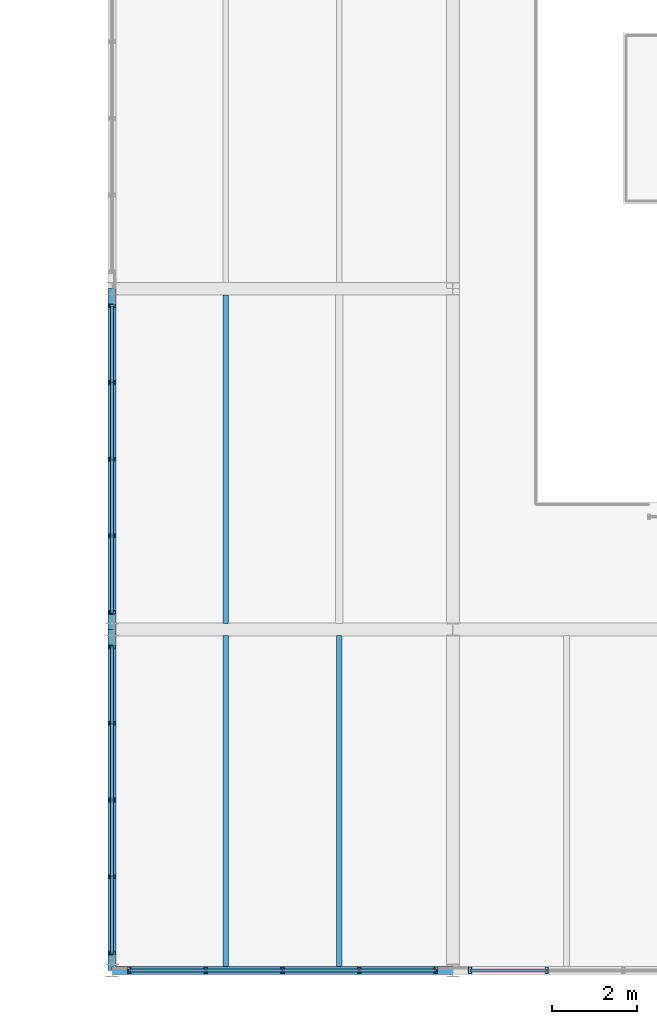
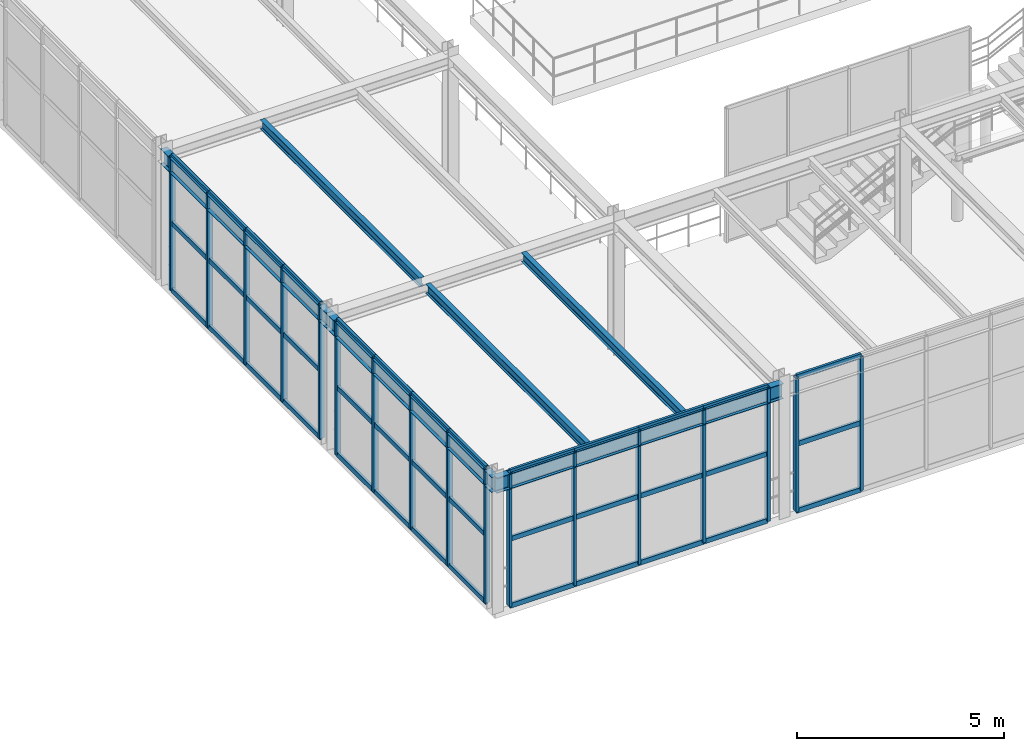
# One storey, part 34 of 124: 56 members, 6 beams, 4 elements without a shape of their own.
"""IFC4 building model written with IfcOpenShell, lengths in metres."""

from ifc_helpers import new_model, si_unit, direction, frame, origin, origin_2d, place, context, subcontext, project, spatial, hollow_rectangle, i_section, extrude, material, material_profile, profile_set, type_object, element, aggregate, save


model = new_model("IFC4")

# Units and contexts
model_context = context("Model", 3, precision=1e-05, world=origin(), true_north=direction((0.0, 1.0)))
body_context = subcontext(model_context, "Body", "Model", "MODEL_VIEW")
ifc_project = project(units=[si_unit("LENGTHUNIT", "METRE"), si_unit("AREAUNIT", "SQUARE_METRE"), si_unit("VOLUMEUNIT", "CUBIC_METRE"), si_unit("PLANEANGLEUNIT", "RADIAN"), si_unit("MASSUNIT", "GRAM", prefix="KILO")], contexts=[model_context])

# Site, building, storey
site_placement = place(None, origin())
site = spatial("IfcSite", under=ifc_project, at=site_placement, CompositionType="ELEMENT")
building_placement = place(site_placement, origin())
building = spatial("IfcBuilding", under=site, at=building_placement, Name="Sundkrona Museum", CompositionType="ELEMENT")
storey_placement = place(building_placement, frame((0.0, 0.0, 17.60009765625)))
storey = spatial("IfcBuildingStorey", under=building, at=storey_placement, Name="L03", CompositionType="ELEMENT", Elevation=17.60009765625)

# Beams
ifc_material_1 = material(Name="Steel S355J2", Category="steel")
ifc_material_profile_1 = material_profile(ifc_material_1, i_section(OverallWidth=0.135009765625, OverallDepth=0.27001953125, WebThickness=0.006591796875, FlangeThickness=0.01025390625, FilletRadius=0.014892578125, at=origin_2d()), Name="IPE 270")
ifc_profile_set_1 = profile_set([ifc_material_profile_1], Name="Steel S355J2")
beam_type_1 = type_object("IfcBeamType", Name="J-IPE270", PredefinedType="JOIST", material=ifc_profile_set_1)
for number, where, z_axis, x_axis, name in (
    (1, (82.666748046875, 0.089111328125, 3.804931640625), (0.0, 1.0, 0.0), (-1.0, 0.0, 0.0), "L03 Composite Joist 1042"),
    (2, (85.333251953125, 0.089111328125, 3.804931640625), (0.0, 1.0, 0.0), (-1.0, 0.0, 0.0), "L03 Composite Joist 1043"),
):
    element("IfcBeam", number, at=place(storey_placement, frame(where, z_axis=z_axis, x_axis=x_axis)), inside=storey, type_object=beam_type_1, Name=name, PredefinedType="JOIST", context=body_context, shape_type="SweptSolid", body=[
        extrude(i_section(OverallWidth=0.135009765625, OverallDepth=0.27001953125, WebThickness=0.006591796875, FlangeThickness=0.01025390625, FilletRadius=0.014892578125, at=origin_2d()), origin(), (0.0, 0.0, 1.0), 7.766845703125),
    ])
beam_placement = place(storey_placement, frame((82.666748046875, 8.14404296875, 3.804931640625), z_axis=(0.0, 1.0, 0.0), x_axis=(-1.0, 0.0, 0.0)))
element("IfcBeam", 3, at=beam_placement, inside=storey, type_object=beam_type_1, Name="L03 Composite Joist 1044", PredefinedType="JOIST", context=body_context, shape_type="SweptSolid", body=[
    extrude(i_section(OverallWidth=0.135009765625, OverallDepth=0.27001953125, WebThickness=0.006591796875, FlangeThickness=0.01025390625, FilletRadius=0.014892578125, at=origin_2d()), origin(), (0.0, 0.0, 1.0), 7.7119140625),
])

# Curtain wall, members
ifc_material_2 = material(Name="Unitised Aluminium-Steel and Ceramic-Clad Curtain Walling", Category="steel")
curtain_wall_type = type_object("IfcCurtainWallType", Name="CW-AT-72x38", PredefinedType="NOTDEFINED", material=ifc_material_2)
curtain_wall_1_placement = place(storey_placement, origin())
curtain_wall_1 = element("IfcCurtainWall", 4, at=curtain_wall_1_placement, inside=storey, type_object=curtain_wall_type, Name="L03 Curtain Wall CW-L03-060", PredefinedType="NOTDEFINED")
ifc_material_3 = material(Name="Aluminium EN AW-6060 T66", Category="aluminium")
ifc_material_profile_2 = material_profile(ifc_material_3, hollow_rectangle(XDim=0.074951171875, YDim=0.14990234375, WallThickness=0.00634765625, at=origin_2d()), Name="RHS 150x75x6.3")
ifc_profile_set_2 = profile_set([ifc_material_profile_2], Name="Aluminium EN AW-6060 T66")
member_type_1 = type_object("IfcMemberType", Name="ML-150", PredefinedType="MULLION", material=ifc_profile_set_2)
member_1_placement = place(storey_placement, frame((80.39990234375, 0.0, -0.004150390625), z_axis=(0.0, 0.0, 1.0), x_axis=(1.0, 0.0, 0.0)))
member_1 = element("IfcMember", 5, at=member_1_placement, type_object=member_type_1, Name="CW-L03-060 Mullion 01", PredefinedType="MULLION", context=body_context, shape_type="SweptSolid", body=[
    extrude(hollow_rectangle(XDim=0.074951171875, YDim=0.14990234375, WallThickness=0.00634765625, at=origin_2d()), origin(), (0.0, 0.0, 1.0), 3.947998046875),
])
member_2_placement = place(storey_placement, frame((82.199951171875, 0.0, -0.004150390625), z_axis=(0.0, 0.0, 1.0), x_axis=(1.0, 0.0, 0.0)))
member_2 = element("IfcMember", 6, at=member_2_placement, type_object=member_type_1, Name="CW-L03-060 Mullion 02", PredefinedType="MULLION", context=body_context, shape_type="SweptSolid", body=[
    extrude(hollow_rectangle(XDim=0.074951171875, YDim=0.14990234375, WallThickness=0.00634765625, at=origin_2d()), origin(), (0.0, 0.0, 1.0), 3.947998046875),
])
member_3_placement = place(storey_placement, frame((84.0, 0.0, -0.004150390625), z_axis=(0.0, 0.0, 1.0), x_axis=(1.0, 0.0, 0.0)))
member_3 = element("IfcMember", 7, at=member_3_placement, type_object=member_type_1, Name="CW-L03-060 Mullion 03", PredefinedType="MULLION", context=body_context, shape_type="SweptSolid", body=[
    extrude(hollow_rectangle(XDim=0.074951171875, YDim=0.14990234375, WallThickness=0.00634765625, at=origin_2d()), origin(), (0.0, 0.0, 1.0), 3.947998046875),
])
member_4_placement = place(storey_placement, frame((85.800048828125, 0.0, -0.004150390625), z_axis=(0.0, 0.0, 1.0), x_axis=(1.0, 0.0, 0.0)))
member_4 = element("IfcMember", 8, at=member_4_placement, type_object=member_type_1, Name="CW-L03-060 Mullion 04", PredefinedType="MULLION", context=body_context, shape_type="SweptSolid", body=[
    extrude(hollow_rectangle(XDim=0.074951171875, YDim=0.14990234375, WallThickness=0.00634765625, at=origin_2d()), origin(), (0.0, 0.0, 1.0), 3.947998046875),
])
member_5_placement = place(storey_placement, frame((87.60009765625, 0.0, -0.004150390625), z_axis=(0.0, 0.0, 1.0), x_axis=(1.0, 0.0, 0.0)))
member_5 = element("IfcMember", 9, at=member_5_placement, type_object=member_type_1, Name="CW-L03-060 Mullion 05", PredefinedType="MULLION", context=body_context, shape_type="SweptSolid", body=[
    extrude(hollow_rectangle(XDim=0.074951171875, YDim=0.14990234375, WallThickness=0.00634765625, at=origin_2d()), origin(), (0.0, 0.0, 1.0), 3.947998046875),
])

curtain_wall_2_placement = place(storey_placement, origin())
curtain_wall_2 = element("IfcCurtainWall", 10, at=curtain_wall_2_placement, inside=storey, type_object=curtain_wall_type, Name="L03 Curtain Wall CW-L03-061", PredefinedType="NOTDEFINED")
member_6_placement = place(storey_placement, frame((88.39990234375, 0.0, -0.004150390625), z_axis=(0.0, 0.0, 1.0), x_axis=(1.0, 0.0, 0.0)))
member_6 = element("IfcMember", 11, at=member_6_placement, type_object=member_type_1, Name="CW-L03-061 Mullion 01", PredefinedType="MULLION", context=body_context, shape_type="SweptSolid", body=[
    extrude(hollow_rectangle(XDim=0.074951171875, YDim=0.14990234375, WallThickness=0.00634765625, at=origin_2d()), origin(), (0.0, 0.0, 1.0), 3.947998046875),
])
member_7_placement = place(storey_placement, frame((90.199951171875, 0.0, -0.004150390625), z_axis=(0.0, 0.0, 1.0), x_axis=(1.0, 0.0, 0.0)))
member_7 = element("IfcMember", 12, at=member_7_placement, type_object=member_type_1, Name="CW-L03-061 Mullion 02", PredefinedType="MULLION", context=body_context, shape_type="SweptSolid", body=[
    extrude(hollow_rectangle(XDim=0.074951171875, YDim=0.14990234375, WallThickness=0.00634765625, at=origin_2d()), origin(), (0.0, 0.0, 1.0), 3.947998046875),
])

curtain_wall_3_placement = place(storey_placement, origin())
curtain_wall_3 = element("IfcCurtainWall", 13, at=curtain_wall_3_placement, inside=storey, type_object=curtain_wall_type, Name="L03 Curtain Wall CW-L03-065", PredefinedType="NOTDEFINED")
member_8_placement = place(storey_placement, frame((80.0, 0.39990234375, -0.004150390625), z_axis=(0.0, 0.0, 1.0), x_axis=(0.0, 1.0, 0.0)))
member_8 = element("IfcMember", 14, at=member_8_placement, type_object=member_type_1, Name="CW-L03-065 Mullion 01", PredefinedType="MULLION", context=body_context, shape_type="SweptSolid", body=[
    extrude(hollow_rectangle(XDim=0.074951171875, YDim=0.14990234375, WallThickness=0.00634765625, at=origin_2d()), origin(), (0.0, 0.0, 1.0), 3.947998046875),
])
member_9_placement = place(storey_placement, frame((80.0, 2.199951171875, -0.004150390625), z_axis=(0.0, 0.0, 1.0), x_axis=(0.0, 1.0, 0.0)))
member_9 = element("IfcMember", 15, at=member_9_placement, type_object=member_type_1, Name="CW-L03-065 Mullion 02", PredefinedType="MULLION", context=body_context, shape_type="SweptSolid", body=[
    extrude(hollow_rectangle(XDim=0.074951171875, YDim=0.14990234375, WallThickness=0.00634765625, at=origin_2d()), origin(), (0.0, 0.0, 1.0), 3.947998046875),
])
member_10_placement = place(storey_placement, frame((80.0, 4.0, -0.004150390625), z_axis=(0.0, 0.0, 1.0), x_axis=(0.0, 1.0, 0.0)))
member_10 = element("IfcMember", 16, at=member_10_placement, type_object=member_type_1, Name="CW-L03-065 Mullion 03", PredefinedType="MULLION", context=body_context, shape_type="SweptSolid", body=[
    extrude(hollow_rectangle(XDim=0.074951171875, YDim=0.14990234375, WallThickness=0.00634765625, at=origin_2d()), origin(), (0.0, 0.0, 1.0), 3.947998046875),
])
member_11_placement = place(storey_placement, frame((80.0, 5.800048828125, -0.004150390625), z_axis=(0.0, 0.0, 1.0), x_axis=(0.0, 1.0, 0.0)))
member_11 = element("IfcMember", 17, at=member_11_placement, type_object=member_type_1, Name="CW-L03-065 Mullion 04", PredefinedType="MULLION", context=body_context, shape_type="SweptSolid", body=[
    extrude(hollow_rectangle(XDim=0.074951171875, YDim=0.14990234375, WallThickness=0.00634765625, at=origin_2d()), origin(), (0.0, 0.0, 1.0), 3.947998046875),
])
member_12_placement = place(storey_placement, frame((80.0, 7.60009765625, -0.004150390625), z_axis=(0.0, 0.0, 1.0), x_axis=(0.0, 1.0, 0.0)))
member_12 = element("IfcMember", 18, at=member_12_placement, type_object=member_type_1, Name="CW-L03-065 Mullion 05", PredefinedType="MULLION", context=body_context, shape_type="SweptSolid", body=[
    extrude(hollow_rectangle(XDim=0.074951171875, YDim=0.14990234375, WallThickness=0.00634765625, at=origin_2d()), origin(), (0.0, 0.0, 1.0), 3.947998046875),
])

curtain_wall_4_placement = place(storey_placement, origin())
curtain_wall_4 = element("IfcCurtainWall", 19, at=curtain_wall_4_placement, inside=storey, type_object=curtain_wall_type, Name="L03 Curtain Wall CW-L03-066", PredefinedType="NOTDEFINED")
member_13_placement = place(storey_placement, frame((80.0, 8.39990234375, -0.004150390625), z_axis=(0.0, 0.0, 1.0), x_axis=(0.0, 1.0, 0.0)))
member_13 = element("IfcMember", 20, at=member_13_placement, type_object=member_type_1, Name="CW-L03-066 Mullion 01", PredefinedType="MULLION", context=body_context, shape_type="SweptSolid", body=[
    extrude(hollow_rectangle(XDim=0.074951171875, YDim=0.14990234375, WallThickness=0.00634765625, at=origin_2d()), origin(), (0.0, 0.0, 1.0), 3.947998046875),
])
member_14_placement = place(storey_placement, frame((80.0, 10.199951171875, -0.004150390625), z_axis=(0.0, 0.0, 1.0), x_axis=(0.0, 1.0, 0.0)))
member_14 = element("IfcMember", 21, at=member_14_placement, type_object=member_type_1, Name="CW-L03-066 Mullion 02", PredefinedType="MULLION", context=body_context, shape_type="SweptSolid", body=[
    extrude(hollow_rectangle(XDim=0.074951171875, YDim=0.14990234375, WallThickness=0.00634765625, at=origin_2d()), origin(), (0.0, 0.0, 1.0), 3.947998046875),
])
member_15_placement = place(storey_placement, frame((80.0, 12.0, -0.004150390625), z_axis=(0.0, 0.0, 1.0), x_axis=(0.0, 1.0, 0.0)))
member_15 = element("IfcMember", 22, at=member_15_placement, type_object=member_type_1, Name="CW-L03-066 Mullion 03", PredefinedType="MULLION", context=body_context, shape_type="SweptSolid", body=[
    extrude(hollow_rectangle(XDim=0.074951171875, YDim=0.14990234375, WallThickness=0.00634765625, at=origin_2d()), origin(), (0.0, 0.0, 1.0), 3.947998046875),
])
member_16_placement = place(storey_placement, frame((80.0, 13.800048828125, -0.004150390625), z_axis=(0.0, 0.0, 1.0), x_axis=(0.0, 1.0, 0.0)))
member_16 = element("IfcMember", 23, at=member_16_placement, type_object=member_type_1, Name="CW-L03-066 Mullion 04", PredefinedType="MULLION", context=body_context, shape_type="SweptSolid", body=[
    extrude(hollow_rectangle(XDim=0.074951171875, YDim=0.14990234375, WallThickness=0.00634765625, at=origin_2d()), origin(), (0.0, 0.0, 1.0), 3.947998046875),
])
member_17_placement = place(storey_placement, frame((80.0, 15.60009765625, -0.004150390625), z_axis=(0.0, 0.0, 1.0), x_axis=(0.0, 1.0, 0.0)))
member_17 = element("IfcMember", 24, at=member_17_placement, type_object=member_type_1, Name="CW-L03-066 Mullion 05", PredefinedType="MULLION", context=body_context, shape_type="SweptSolid", body=[
    extrude(hollow_rectangle(XDim=0.074951171875, YDim=0.14990234375, WallThickness=0.00634765625, at=origin_2d()), origin(), (0.0, 0.0, 1.0), 3.947998046875),
])

# Beams
ifc_material_profile_3 = material_profile(ifc_material_1, i_section(OverallWidth=0.18994140625, OverallDepth=0.449951171875, WebThickness=0.009521484375, FlangeThickness=0.0146484375, FilletRadius=0.02099609375, at=origin_2d()), Name="IPE 450")
ifc_profile_set_3 = profile_set([ifc_material_profile_3], Name="Steel S355J2")
beam_type_2 = type_object("IfcBeamType", Name="SP-IPE450", PredefinedType="SPANDREL", material=ifc_profile_set_3)
for number, where, z_axis, x_axis, name in (
    (25, (80.0, 0.0, 3.71484375), (1.0, 0.0, 0.0), (0.0, 1.0, 0.0), "L03 Girder X-1410"),
    (26, (80.0, 0.0, 3.71484375), (0.0, 1.0, 0.0), (-1.0, 0.0, 0.0), "L03 Girder Y-1598"),
    (27, (80.0, 8.0, 3.71484375), (0.0, 1.0, 0.0), (-1.0, 0.0, 0.0), "L03 Girder Y-1599"),
):
    element("IfcBeam", number, at=place(storey_placement, frame(where, z_axis=z_axis, x_axis=x_axis)), inside=storey, type_object=beam_type_2, Name=name, PredefinedType="SPANDREL", context=body_context, shape_type="SweptSolid", body=[
        extrude(i_section(OverallWidth=0.18994140625, OverallDepth=0.449951171875, WebThickness=0.009521484375, FlangeThickness=0.0146484375, FilletRadius=0.02099609375, at=origin_2d()), origin(), (0.0, 0.0, 1.0), 8.0),
    ])

# Member
ifc_material_profile_4 = material_profile(ifc_material_3, hollow_rectangle(XDim=0.070068359375, YDim=0.139892578125, WallThickness=0.0048828125, at=origin_2d()), Name="RHS 140x70x5.0")
ifc_profile_set_4 = profile_set([ifc_material_profile_4], Name="Aluminium EN AW-6060 T66")
member_type_2 = type_object("IfcMemberType", Name="TR-140", PredefinedType="USERDEFINED", material=ifc_profile_set_4)
member_18_placement = place(storey_placement, frame((80.39990234375, 0.0, -0.004150390625), z_axis=(1.0, 0.0, 0.0), x_axis=(0.0, 1.0, 0.0)))
member_18 = element("IfcMember", 28, at=member_18_placement, type_object=member_type_2, Name="CW-L03-060 Transom 01", ObjectType="TRANSOM", PredefinedType="USERDEFINED", context=body_context, shape_type="SweptSolid", body=[
    extrude(hollow_rectangle(XDim=0.070068359375, YDim=0.139892578125, WallThickness=0.0048828125, at=origin_2d()), origin(), (0.0, 0.0, 1.0), 1.800048828125),
])

member_19_placement = place(storey_placement, frame((80.39990234375, 0.0, 1.969970703125), z_axis=(1.0, 0.0, 0.0), x_axis=(0.0, 1.0, 0.0)))
member_19 = element("IfcMember", 29, at=member_19_placement, type_object=member_type_2, Name="CW-L03-060 Transom 02", ObjectType="TRANSOM", PredefinedType="USERDEFINED", context=body_context, shape_type="SweptSolid", body=[
    extrude(hollow_rectangle(XDim=0.070068359375, YDim=0.139892578125, WallThickness=0.0048828125, at=origin_2d()), origin(), (0.0, 0.0, 1.0), 1.800048828125),
])

member_20_placement = place(storey_placement, frame((80.39990234375, 0.0, 3.94384765625), z_axis=(1.0, 0.0, 0.0), x_axis=(0.0, 1.0, 0.0)))
member_20 = element("IfcMember", 30, at=member_20_placement, type_object=member_type_2, Name="CW-L03-060 Transom 03", ObjectType="TRANSOM", PredefinedType="USERDEFINED", context=body_context, shape_type="SweptSolid", body=[
    extrude(hollow_rectangle(XDim=0.070068359375, YDim=0.139892578125, WallThickness=0.0048828125, at=origin_2d()), origin(), (0.0, 0.0, 1.0), 1.800048828125),
])

member_21_placement = place(storey_placement, frame((82.199951171875, 0.0, -0.004150390625), z_axis=(1.0, 0.0, 0.0), x_axis=(0.0, 1.0, 0.0)))
member_21 = element("IfcMember", 31, at=member_21_placement, type_object=member_type_2, Name="CW-L03-060 Transom 04", ObjectType="TRANSOM", PredefinedType="USERDEFINED", context=body_context, shape_type="SweptSolid", body=[
    extrude(hollow_rectangle(XDim=0.070068359375, YDim=0.139892578125, WallThickness=0.0048828125, at=origin_2d()), origin(), (0.0, 0.0, 1.0), 1.800048828125),
])

member_22_placement = place(storey_placement, frame((82.199951171875, 0.0, 1.969970703125), z_axis=(1.0, 0.0, 0.0), x_axis=(0.0, 1.0, 0.0)))
member_22 = element("IfcMember", 32, at=member_22_placement, type_object=member_type_2, Name="CW-L03-060 Transom 05", ObjectType="TRANSOM", PredefinedType="USERDEFINED", context=body_context, shape_type="SweptSolid", body=[
    extrude(hollow_rectangle(XDim=0.070068359375, YDim=0.139892578125, WallThickness=0.0048828125, at=origin_2d()), origin(), (0.0, 0.0, 1.0), 1.800048828125),
])

member_23_placement = place(storey_placement, frame((82.199951171875, 0.0, 3.94384765625), z_axis=(1.0, 0.0, 0.0), x_axis=(0.0, 1.0, 0.0)))
member_23 = element("IfcMember", 33, at=member_23_placement, type_object=member_type_2, Name="CW-L03-060 Transom 06", ObjectType="TRANSOM", PredefinedType="USERDEFINED", context=body_context, shape_type="SweptSolid", body=[
    extrude(hollow_rectangle(XDim=0.070068359375, YDim=0.139892578125, WallThickness=0.0048828125, at=origin_2d()), origin(), (0.0, 0.0, 1.0), 1.800048828125),
])

member_24_placement = place(storey_placement, frame((84.0, 0.0, -0.004150390625), z_axis=(1.0, 0.0, 0.0), x_axis=(0.0, 1.0, 0.0)))
member_24 = element("IfcMember", 34, at=member_24_placement, type_object=member_type_2, Name="CW-L03-060 Transom 07", ObjectType="TRANSOM", PredefinedType="USERDEFINED", context=body_context, shape_type="SweptSolid", body=[
    extrude(hollow_rectangle(XDim=0.070068359375, YDim=0.139892578125, WallThickness=0.0048828125, at=origin_2d()), origin(), (0.0, 0.0, 1.0), 1.800048828125),
])

member_25_placement = place(storey_placement, frame((84.0, 0.0, 1.969970703125), z_axis=(1.0, 0.0, 0.0), x_axis=(0.0, 1.0, 0.0)))
member_25 = element("IfcMember", 35, at=member_25_placement, type_object=member_type_2, Name="CW-L03-060 Transom 08", ObjectType="TRANSOM", PredefinedType="USERDEFINED", context=body_context, shape_type="SweptSolid", body=[
    extrude(hollow_rectangle(XDim=0.070068359375, YDim=0.139892578125, WallThickness=0.0048828125, at=origin_2d()), origin(), (0.0, 0.0, 1.0), 1.800048828125),
])

member_26_placement = place(storey_placement, frame((84.0, 0.0, 3.94384765625), z_axis=(1.0, 0.0, 0.0), x_axis=(0.0, 1.0, 0.0)))
member_26 = element("IfcMember", 36, at=member_26_placement, type_object=member_type_2, Name="CW-L03-060 Transom 09", ObjectType="TRANSOM", PredefinedType="USERDEFINED", context=body_context, shape_type="SweptSolid", body=[
    extrude(hollow_rectangle(XDim=0.070068359375, YDim=0.139892578125, WallThickness=0.0048828125, at=origin_2d()), origin(), (0.0, 0.0, 1.0), 1.800048828125),
])

member_27_placement = place(storey_placement, frame((85.800048828125, 0.0, -0.004150390625), z_axis=(1.0, 0.0, 0.0), x_axis=(0.0, 1.0, 0.0)))
member_27 = element("IfcMember", 37, at=member_27_placement, type_object=member_type_2, Name="CW-L03-060 Transom 10", ObjectType="TRANSOM", PredefinedType="USERDEFINED", context=body_context, shape_type="SweptSolid", body=[
    extrude(hollow_rectangle(XDim=0.070068359375, YDim=0.139892578125, WallThickness=0.0048828125, at=origin_2d()), origin(), (0.0, 0.0, 1.0), 1.800048828125),
])

member_28_placement = place(storey_placement, frame((85.800048828125, 0.0, 1.969970703125), z_axis=(1.0, 0.0, 0.0), x_axis=(0.0, 1.0, 0.0)))
member_28 = element("IfcMember", 38, at=member_28_placement, type_object=member_type_2, Name="CW-L03-060 Transom 11", ObjectType="TRANSOM", PredefinedType="USERDEFINED", context=body_context, shape_type="SweptSolid", body=[
    extrude(hollow_rectangle(XDim=0.070068359375, YDim=0.139892578125, WallThickness=0.0048828125, at=origin_2d()), origin(), (0.0, 0.0, 1.0), 1.800048828125),
])

member_29_placement = place(storey_placement, frame((85.800048828125, 0.0, 3.94384765625), z_axis=(1.0, 0.0, 0.0), x_axis=(0.0, 1.0, 0.0)))
member_29 = element("IfcMember", 39, at=member_29_placement, type_object=member_type_2, Name="CW-L03-060 Transom 12", ObjectType="TRANSOM", PredefinedType="USERDEFINED", context=body_context, shape_type="SweptSolid", body=[
    extrude(hollow_rectangle(XDim=0.070068359375, YDim=0.139892578125, WallThickness=0.0048828125, at=origin_2d()), origin(), (0.0, 0.0, 1.0), 1.800048828125),
])

aggregate(curtain_wall_1, [member_1, member_2, member_3, member_4, member_5, member_18, member_19, member_20, member_21, member_22, member_23, member_24, member_25, member_26, member_27, member_28, member_29])

member_30_placement = place(storey_placement, frame((88.39990234375, 0.0, -0.004150390625), z_axis=(1.0, 0.0, 0.0), x_axis=(0.0, 1.0, 0.0)))
member_30 = element("IfcMember", 40, at=member_30_placement, type_object=member_type_2, Name="CW-L03-061 Transom 01", ObjectType="TRANSOM", PredefinedType="USERDEFINED", context=body_context, shape_type="SweptSolid", body=[
    extrude(hollow_rectangle(XDim=0.070068359375, YDim=0.139892578125, WallThickness=0.0048828125, at=origin_2d()), origin(), (0.0, 0.0, 1.0), 1.800048828125),
])

member_31_placement = place(storey_placement, frame((88.39990234375, 0.0, 1.969970703125), z_axis=(1.0, 0.0, 0.0), x_axis=(0.0, 1.0, 0.0)))
member_31 = element("IfcMember", 41, at=member_31_placement, type_object=member_type_2, Name="CW-L03-061 Transom 02", ObjectType="TRANSOM", PredefinedType="USERDEFINED", context=body_context, shape_type="SweptSolid", body=[
    extrude(hollow_rectangle(XDim=0.070068359375, YDim=0.139892578125, WallThickness=0.0048828125, at=origin_2d()), origin(), (0.0, 0.0, 1.0), 1.800048828125),
])

member_32_placement = place(storey_placement, frame((88.39990234375, 0.0, 3.94384765625), z_axis=(1.0, 0.0, 0.0), x_axis=(0.0, 1.0, 0.0)))
member_32 = element("IfcMember", 42, at=member_32_placement, type_object=member_type_2, Name="CW-L03-061 Transom 03", ObjectType="TRANSOM", PredefinedType="USERDEFINED", context=body_context, shape_type="SweptSolid", body=[
    extrude(hollow_rectangle(XDim=0.070068359375, YDim=0.139892578125, WallThickness=0.0048828125, at=origin_2d()), origin(), (0.0, 0.0, 1.0), 1.800048828125),
])

aggregate(curtain_wall_2, [member_6, member_7, member_30, member_31, member_32])

member_33_placement = place(storey_placement, frame((80.0, 0.39990234375, -0.004150390625), z_axis=(0.0, 1.0, 0.0), x_axis=(-1.0, 0.0, 0.0)))
member_33 = element("IfcMember", 43, at=member_33_placement, type_object=member_type_2, Name="CW-L03-065 Transom 01", ObjectType="TRANSOM", PredefinedType="USERDEFINED", context=body_context, shape_type="SweptSolid", body=[
    extrude(hollow_rectangle(XDim=0.070068359375, YDim=0.139892578125, WallThickness=0.0048828125, at=origin_2d()), origin(), (0.0, 0.0, 1.0), 1.800048828125),
])

member_34_placement = place(storey_placement, frame((80.0, 0.39990234375, 1.969970703125), z_axis=(0.0, 1.0, 0.0), x_axis=(-1.0, 0.0, 0.0)))
member_34 = element("IfcMember", 44, at=member_34_placement, type_object=member_type_2, Name="CW-L03-065 Transom 02", ObjectType="TRANSOM", PredefinedType="USERDEFINED", context=body_context, shape_type="SweptSolid", body=[
    extrude(hollow_rectangle(XDim=0.070068359375, YDim=0.139892578125, WallThickness=0.0048828125, at=origin_2d()), origin(), (0.0, 0.0, 1.0), 1.800048828125),
])

member_35_placement = place(storey_placement, frame((80.0, 0.39990234375, 3.94384765625), z_axis=(0.0, 1.0, 0.0), x_axis=(-1.0, 0.0, 0.0)))
member_35 = element("IfcMember", 45, at=member_35_placement, type_object=member_type_2, Name="CW-L03-065 Transom 03", ObjectType="TRANSOM", PredefinedType="USERDEFINED", context=body_context, shape_type="SweptSolid", body=[
    extrude(hollow_rectangle(XDim=0.070068359375, YDim=0.139892578125, WallThickness=0.0048828125, at=origin_2d()), origin(), (0.0, 0.0, 1.0), 1.800048828125),
])

member_36_placement = place(storey_placement, frame((80.0, 2.199951171875, -0.004150390625), z_axis=(0.0, 1.0, 0.0), x_axis=(-1.0, 0.0, 0.0)))
member_36 = element("IfcMember", 46, at=member_36_placement, type_object=member_type_2, Name="CW-L03-065 Transom 04", ObjectType="TRANSOM", PredefinedType="USERDEFINED", context=body_context, shape_type="SweptSolid", body=[
    extrude(hollow_rectangle(XDim=0.070068359375, YDim=0.139892578125, WallThickness=0.0048828125, at=origin_2d()), origin(), (0.0, 0.0, 1.0), 1.800048828125),
])

member_37_placement = place(storey_placement, frame((80.0, 2.199951171875, 1.969970703125), z_axis=(0.0, 1.0, 0.0), x_axis=(-1.0, 0.0, 0.0)))
member_37 = element("IfcMember", 47, at=member_37_placement, type_object=member_type_2, Name="CW-L03-065 Transom 05", ObjectType="TRANSOM", PredefinedType="USERDEFINED", context=body_context, shape_type="SweptSolid", body=[
    extrude(hollow_rectangle(XDim=0.070068359375, YDim=0.139892578125, WallThickness=0.0048828125, at=origin_2d()), origin(), (0.0, 0.0, 1.0), 1.800048828125),
])

member_38_placement = place(storey_placement, frame((80.0, 2.199951171875, 3.94384765625), z_axis=(0.0, 1.0, 0.0), x_axis=(-1.0, 0.0, 0.0)))
member_38 = element("IfcMember", 48, at=member_38_placement, type_object=member_type_2, Name="CW-L03-065 Transom 06", ObjectType="TRANSOM", PredefinedType="USERDEFINED", context=body_context, shape_type="SweptSolid", body=[
    extrude(hollow_rectangle(XDim=0.070068359375, YDim=0.139892578125, WallThickness=0.0048828125, at=origin_2d()), origin(), (0.0, 0.0, 1.0), 1.800048828125),
])

member_39_placement = place(storey_placement, frame((80.0, 4.0, -0.004150390625), z_axis=(0.0, 1.0, 0.0), x_axis=(-1.0, 0.0, 0.0)))
member_39 = element("IfcMember", 49, at=member_39_placement, type_object=member_type_2, Name="CW-L03-065 Transom 07", ObjectType="TRANSOM", PredefinedType="USERDEFINED", context=body_context, shape_type="SweptSolid", body=[
    extrude(hollow_rectangle(XDim=0.070068359375, YDim=0.139892578125, WallThickness=0.0048828125, at=origin_2d()), origin(), (0.0, 0.0, 1.0), 1.800048828125),
])

member_40_placement = place(storey_placement, frame((80.0, 4.0, 1.969970703125), z_axis=(0.0, 1.0, 0.0), x_axis=(-1.0, 0.0, 0.0)))
member_40 = element("IfcMember", 50, at=member_40_placement, type_object=member_type_2, Name="CW-L03-065 Transom 08", ObjectType="TRANSOM", PredefinedType="USERDEFINED", context=body_context, shape_type="SweptSolid", body=[
    extrude(hollow_rectangle(XDim=0.070068359375, YDim=0.139892578125, WallThickness=0.0048828125, at=origin_2d()), origin(), (0.0, 0.0, 1.0), 1.800048828125),
])

member_41_placement = place(storey_placement, frame((80.0, 4.0, 3.94384765625), z_axis=(0.0, 1.0, 0.0), x_axis=(-1.0, 0.0, 0.0)))
member_41 = element("IfcMember", 51, at=member_41_placement, type_object=member_type_2, Name="CW-L03-065 Transom 09", ObjectType="TRANSOM", PredefinedType="USERDEFINED", context=body_context, shape_type="SweptSolid", body=[
    extrude(hollow_rectangle(XDim=0.070068359375, YDim=0.139892578125, WallThickness=0.0048828125, at=origin_2d()), origin(), (0.0, 0.0, 1.0), 1.800048828125),
])

member_42_placement = place(storey_placement, frame((80.0, 5.800048828125, -0.004150390625), z_axis=(0.0, 1.0, 0.0), x_axis=(-1.0, 0.0, 0.0)))
member_42 = element("IfcMember", 52, at=member_42_placement, type_object=member_type_2, Name="CW-L03-065 Transom 10", ObjectType="TRANSOM", PredefinedType="USERDEFINED", context=body_context, shape_type="SweptSolid", body=[
    extrude(hollow_rectangle(XDim=0.070068359375, YDim=0.139892578125, WallThickness=0.0048828125, at=origin_2d()), origin(), (0.0, 0.0, 1.0), 1.800048828125),
])

member_43_placement = place(storey_placement, frame((80.0, 5.800048828125, 1.969970703125), z_axis=(0.0, 1.0, 0.0), x_axis=(-1.0, 0.0, 0.0)))
member_43 = element("IfcMember", 53, at=member_43_placement, type_object=member_type_2, Name="CW-L03-065 Transom 11", ObjectType="TRANSOM", PredefinedType="USERDEFINED", context=body_context, shape_type="SweptSolid", body=[
    extrude(hollow_rectangle(XDim=0.070068359375, YDim=0.139892578125, WallThickness=0.0048828125, at=origin_2d()), origin(), (0.0, 0.0, 1.0), 1.800048828125),
])

member_44_placement = place(storey_placement, frame((80.0, 5.800048828125, 3.94384765625), z_axis=(0.0, 1.0, 0.0), x_axis=(-1.0, 0.0, 0.0)))
member_44 = element("IfcMember", 54, at=member_44_placement, type_object=member_type_2, Name="CW-L03-065 Transom 12", ObjectType="TRANSOM", PredefinedType="USERDEFINED", context=body_context, shape_type="SweptSolid", body=[
    extrude(hollow_rectangle(XDim=0.070068359375, YDim=0.139892578125, WallThickness=0.0048828125, at=origin_2d()), origin(), (0.0, 0.0, 1.0), 1.800048828125),
])

aggregate(curtain_wall_3, [member_8, member_9, member_10, member_11, member_12, member_33, member_34, member_35, member_36, member_37, member_38, member_39, member_40, member_41, member_42, member_43, member_44])

member_45_placement = place(storey_placement, frame((80.0, 8.39990234375, -0.004150390625), z_axis=(0.0, 1.0, 0.0), x_axis=(-1.0, 0.0, 0.0)))
member_45 = element("IfcMember", 55, at=member_45_placement, type_object=member_type_2, Name="CW-L03-066 Transom 01", ObjectType="TRANSOM", PredefinedType="USERDEFINED", context=body_context, shape_type="SweptSolid", body=[
    extrude(hollow_rectangle(XDim=0.070068359375, YDim=0.139892578125, WallThickness=0.0048828125, at=origin_2d()), origin(), (0.0, 0.0, 1.0), 1.800048828125),
])

member_46_placement = place(storey_placement, frame((80.0, 8.39990234375, 1.969970703125), z_axis=(0.0, 1.0, 0.0), x_axis=(-1.0, 0.0, 0.0)))
member_46 = element("IfcMember", 56, at=member_46_placement, type_object=member_type_2, Name="CW-L03-066 Transom 02", ObjectType="TRANSOM", PredefinedType="USERDEFINED", context=body_context, shape_type="SweptSolid", body=[
    extrude(hollow_rectangle(XDim=0.070068359375, YDim=0.139892578125, WallThickness=0.0048828125, at=origin_2d()), origin(), (0.0, 0.0, 1.0), 1.800048828125),
])

member_47_placement = place(storey_placement, frame((80.0, 8.39990234375, 3.94384765625), z_axis=(0.0, 1.0, 0.0), x_axis=(-1.0, 0.0, 0.0)))
member_47 = element("IfcMember", 57, at=member_47_placement, type_object=member_type_2, Name="CW-L03-066 Transom 03", ObjectType="TRANSOM", PredefinedType="USERDEFINED", context=body_context, shape_type="SweptSolid", body=[
    extrude(hollow_rectangle(XDim=0.070068359375, YDim=0.139892578125, WallThickness=0.0048828125, at=origin_2d()), origin(), (0.0, 0.0, 1.0), 1.800048828125),
])

member_48_placement = place(storey_placement, frame((80.0, 10.199951171875, -0.004150390625), z_axis=(0.0, 1.0, 0.0), x_axis=(-1.0, 0.0, 0.0)))
member_48 = element("IfcMember", 58, at=member_48_placement, type_object=member_type_2, Name="CW-L03-066 Transom 04", ObjectType="TRANSOM", PredefinedType="USERDEFINED", context=body_context, shape_type="SweptSolid", body=[
    extrude(hollow_rectangle(XDim=0.070068359375, YDim=0.139892578125, WallThickness=0.0048828125, at=origin_2d()), origin(), (0.0, 0.0, 1.0), 1.800048828125),
])

member_49_placement = place(storey_placement, frame((80.0, 10.199951171875, 1.969970703125), z_axis=(0.0, 1.0, 0.0), x_axis=(-1.0, 0.0, 0.0)))
member_49 = element("IfcMember", 59, at=member_49_placement, type_object=member_type_2, Name="CW-L03-066 Transom 05", ObjectType="TRANSOM", PredefinedType="USERDEFINED", context=body_context, shape_type="SweptSolid", body=[
    extrude(hollow_rectangle(XDim=0.070068359375, YDim=0.139892578125, WallThickness=0.0048828125, at=origin_2d()), origin(), (0.0, 0.0, 1.0), 1.800048828125),
])

member_50_placement = place(storey_placement, frame((80.0, 10.199951171875, 3.94384765625), z_axis=(0.0, 1.0, 0.0), x_axis=(-1.0, 0.0, 0.0)))
member_50 = element("IfcMember", 60, at=member_50_placement, type_object=member_type_2, Name="CW-L03-066 Transom 06", ObjectType="TRANSOM", PredefinedType="USERDEFINED", context=body_context, shape_type="SweptSolid", body=[
    extrude(hollow_rectangle(XDim=0.070068359375, YDim=0.139892578125, WallThickness=0.0048828125, at=origin_2d()), origin(), (0.0, 0.0, 1.0), 1.800048828125),
])

member_51_placement = place(storey_placement, frame((80.0, 12.0, -0.004150390625), z_axis=(0.0, 1.0, 0.0), x_axis=(-1.0, 0.0, 0.0)))
member_51 = element("IfcMember", 61, at=member_51_placement, type_object=member_type_2, Name="CW-L03-066 Transom 07", ObjectType="TRANSOM", PredefinedType="USERDEFINED", context=body_context, shape_type="SweptSolid", body=[
    extrude(hollow_rectangle(XDim=0.070068359375, YDim=0.139892578125, WallThickness=0.0048828125, at=origin_2d()), origin(), (0.0, 0.0, 1.0), 1.800048828125),
])

member_52_placement = place(storey_placement, frame((80.0, 12.0, 1.969970703125), z_axis=(0.0, 1.0, 0.0), x_axis=(-1.0, 0.0, 0.0)))
member_52 = element("IfcMember", 62, at=member_52_placement, type_object=member_type_2, Name="CW-L03-066 Transom 08", ObjectType="TRANSOM", PredefinedType="USERDEFINED", context=body_context, shape_type="SweptSolid", body=[
    extrude(hollow_rectangle(XDim=0.070068359375, YDim=0.139892578125, WallThickness=0.0048828125, at=origin_2d()), origin(), (0.0, 0.0, 1.0), 1.800048828125),
])

member_53_placement = place(storey_placement, frame((80.0, 12.0, 3.94384765625), z_axis=(0.0, 1.0, 0.0), x_axis=(-1.0, 0.0, 0.0)))
member_53 = element("IfcMember", 63, at=member_53_placement, type_object=member_type_2, Name="CW-L03-066 Transom 09", ObjectType="TRANSOM", PredefinedType="USERDEFINED", context=body_context, shape_type="SweptSolid", body=[
    extrude(hollow_rectangle(XDim=0.070068359375, YDim=0.139892578125, WallThickness=0.0048828125, at=origin_2d()), origin(), (0.0, 0.0, 1.0), 1.800048828125),
])

member_54_placement = place(storey_placement, frame((80.0, 13.800048828125, -0.004150390625), z_axis=(0.0, 1.0, 0.0), x_axis=(-1.0, 0.0, 0.0)))
member_54 = element("IfcMember", 64, at=member_54_placement, type_object=member_type_2, Name="CW-L03-066 Transom 10", ObjectType="TRANSOM", PredefinedType="USERDEFINED", context=body_context, shape_type="SweptSolid", body=[
    extrude(hollow_rectangle(XDim=0.070068359375, YDim=0.139892578125, WallThickness=0.0048828125, at=origin_2d()), origin(), (0.0, 0.0, 1.0), 1.800048828125),
])

member_55_placement = place(storey_placement, frame((80.0, 13.800048828125, 1.969970703125), z_axis=(0.0, 1.0, 0.0), x_axis=(-1.0, 0.0, 0.0)))
member_55 = element("IfcMember", 65, at=member_55_placement, type_object=member_type_2, Name="CW-L03-066 Transom 11", ObjectType="TRANSOM", PredefinedType="USERDEFINED", context=body_context, shape_type="SweptSolid", body=[
    extrude(hollow_rectangle(XDim=0.070068359375, YDim=0.139892578125, WallThickness=0.0048828125, at=origin_2d()), origin(), (0.0, 0.0, 1.0), 1.800048828125),
])

member_56_placement = place(storey_placement, frame((80.0, 13.800048828125, 3.94384765625), z_axis=(0.0, 1.0, 0.0), x_axis=(-1.0, 0.0, 0.0)))
member_56 = element("IfcMember", 66, at=member_56_placement, type_object=member_type_2, Name="CW-L03-066 Transom 12", ObjectType="TRANSOM", PredefinedType="USERDEFINED", context=body_context, shape_type="SweptSolid", body=[
    extrude(hollow_rectangle(XDim=0.070068359375, YDim=0.139892578125, WallThickness=0.0048828125, at=origin_2d()), origin(), (0.0, 0.0, 1.0), 1.800048828125),
])

aggregate(curtain_wall_4, [member_13, member_14, member_15, member_16, member_17, member_45, member_46, member_47, member_48, member_49, member_50, member_51, member_52, member_53, member_54, member_55, member_56])

save(model, "model.ifc")
